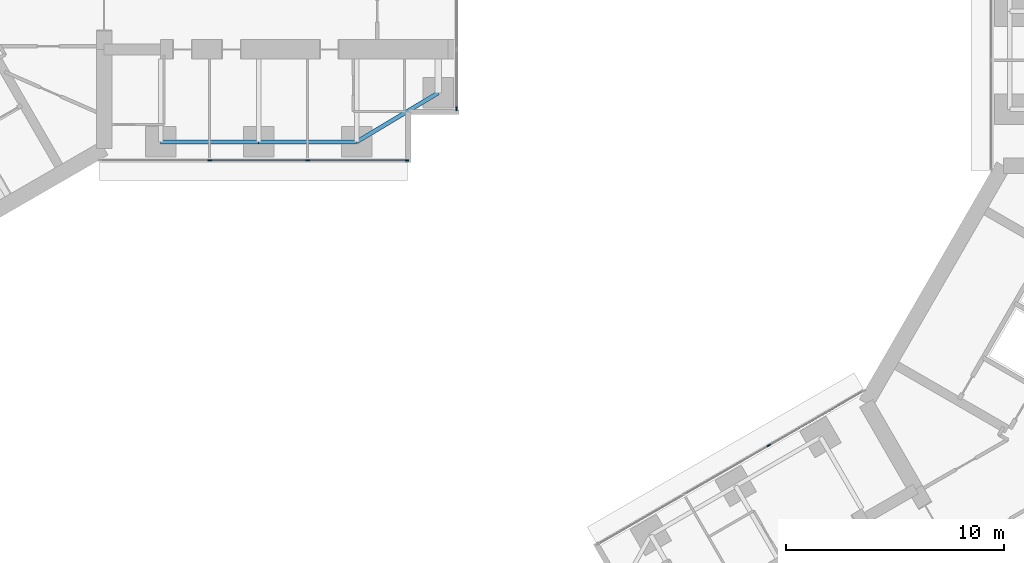
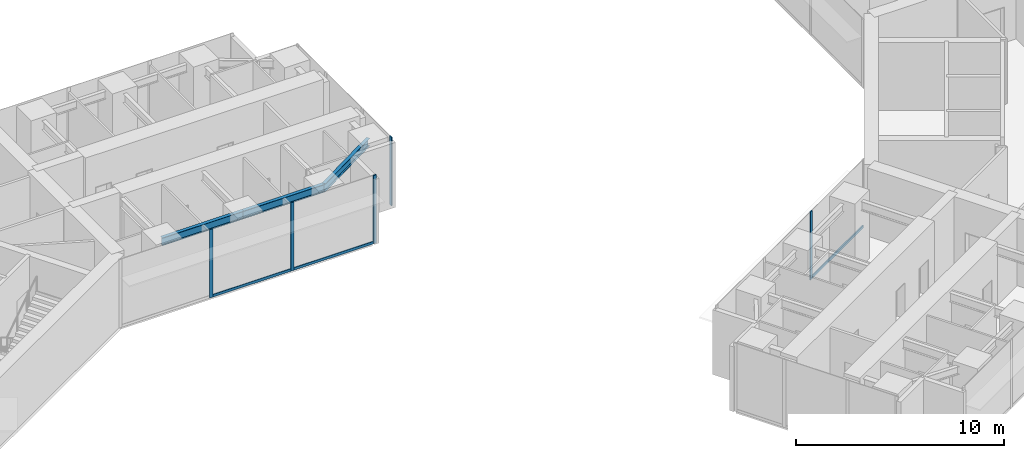
# One storey, part 5 of 25: 8 members, 3 beams, 3 elements without a shape of their own.
"""IFC4 building model written with IfcOpenShell, lengths in metres."""

import ifcopenshell
import ifcopenshell.guid

model = None  # the IFC model being written
_history = None  # IfcOwnerHistory: only IFC2X3 demands one
_inside = {}  # id of a spatial element -> (the spatial element, [elements in it])
_under = {}  # id of a project, library or spatial element -> (it, [spatial elements below it])
_declared = {}  # id of a project -> (the project, [libraries it declares])
_typed = {}  # id of a type object -> (the type object, [elements of that type])
_made_of = {}  # id of a material, layer set ... -> (it, [elements and type objects made of it])


def new_model(schema):
    """Start an empty IFC model of exactly this schema.

    Asked for "IFC4X3", IfcOpenShell would pick the latest addendum, in which some entities
    have other attributes; the version numbers below select the first issue.
    IFC2X3 requires an IfcOwnerHistory on every rooted entity: one is made here for all.
    """
    global model, _history
    if schema == "IFC4X3":
        model = ifcopenshell.file(schema_version=(4, 3, 0, 0))
    else:
        model = ifcopenshell.file(schema=schema)
    _inside.clear()
    _under.clear()
    _declared.clear()
    _typed.clear()
    _made_of.clear()
    _history = None
    if model.schema == "IFC2X3":
        org = make("IfcOrganization", Name="unknown")
        user = make(
            "IfcPersonAndOrganization",
            ThePerson=make("IfcPerson", FamilyName="unknown"),
            TheOrganization=org,
        )
        app = make(
            "IfcApplication",
            ApplicationDeveloper=org,
            Version="unknown",
            ApplicationFullName="unknown",
            ApplicationIdentifier="unknown",
        )
        _history = make(
            "IfcOwnerHistory",
            OwningUser=user,
            OwningApplication=app,
            ChangeAction="ADDED",
            CreationDate=0,
        )
    return model


def make(cls, **values):
    """One entity of the class cls with the attributes given. An attribute that is None is left unset."""
    return model.create_entity(
        cls, **{name: value for name, value in values.items() if value is not None}
    )


def rooted(cls, **values):
    """An entity with a GlobalId (a new one), such as an element, a storey or a relation."""
    return make(cls, GlobalId=ifcopenshell.guid.new(), OwnerHistory=_history, **values)


def si_unit(unit_type, name, prefix=None):
    """IfcSIUnit, for example si_unit("LENGTHUNIT", "METRE", prefix="MILLI")."""
    return make("IfcSIUnit", UnitType=unit_type, Prefix=prefix, Name=name)


def assignment(units):
    """IfcUnitAssignment: the units of a project."""
    return None if units is None else make("IfcUnitAssignment", Units=units)


def point(xyz):
    """IfcCartesianPoint."""
    return None if xyz is None else make("IfcCartesianPoint", Coordinates=xyz)


def direction(xyz):
    """IfcDirection."""
    return None if xyz is None else make("IfcDirection", DirectionRatios=xyz)


def frame(location, z_axis=None, x_axis=None):
    """IfcAxis2Placement3D, a coordinate frame: its origin and axes. An axis left out is left unset."""
    return make(
        "IfcAxis2Placement3D",
        Location=point(location),
        Axis=direction(z_axis),
        RefDirection=direction(x_axis),
    )


def frame_2d(location, x_axis=None):
    """IfcAxis2Placement2D, a coordinate frame in the plane: its origin and x axis."""
    return make(
        "IfcAxis2Placement2D", Location=point(location), RefDirection=direction(x_axis)
    )


def origin():
    """The frame at (0, 0, 0) with its axes left unset."""
    return frame((0.0, 0.0, 0.0))


def origin_2d():
    """The frame at (0, 0) in the plane with its x axis left unset."""
    return frame_2d((0.0, 0.0))


def place(relative_to, where):
    """IfcLocalPlacement: puts the frame where relative to a parent placement (None: the world)."""
    return make(
        "IfcLocalPlacement", PlacementRelTo=relative_to, RelativePlacement=where
    )


def context(
    kind, dimensions, precision=None, world=None, true_north=None, identifier=None
):
    """IfcGeometricRepresentationContext, for example the 3D "Model" context."""
    return make(
        "IfcGeometricRepresentationContext",
        ContextIdentifier=identifier,
        ContextType=kind,
        CoordinateSpaceDimension=dimensions,
        Precision=precision,
        WorldCoordinateSystem=world,
        TrueNorth=true_north,
    )


def subcontext(parent, identifier, kind, view, scale=None):
    """IfcGeometricRepresentationSubContext, for example "Body" below "Model"."""
    return make(
        "IfcGeometricRepresentationSubContext",
        ContextIdentifier=identifier,
        ContextType=kind,
        ParentContext=parent,
        TargetScale=scale,
        TargetView=view,
    )


def project(units=None, contexts=None):
    """IfcProject with its units and contexts."""
    return rooted(
        "IfcProject",
        Name="project",
        RepresentationContexts=contexts,
        UnitsInContext=assignment(units),
    )


def spatial(cls, under=None, at=None, **own):
    """A site, building, storey or space (cls), placed at a placement, below another one or the project."""
    s = rooted(cls, ObjectPlacement=at, **own)
    if under is not None:
        _under.setdefault(under.id(), (under, []))[1].append(s)
    return s


def profile(cls, at=None, kind="AREA", **sizes):
    """A parametric profile (cls). Its sizes go by their IFC names, for example OverallWidth=200.0."""
    return make(cls, ProfileType=kind, Position=at, **sizes)


def rectangle(**sizes):
    """IfcRectangleProfileDef."""
    return profile("IfcRectangleProfileDef", **sizes)


def i_section(**sizes):
    """IfcIShapeProfileDef."""
    return profile("IfcIShapeProfileDef", **sizes)


def extrude(swept, where, along, depth):
    """IfcExtrudedAreaSolid: the profile swept, set in the frame where, extruded along a direction by depth."""
    return make(
        "IfcExtrudedAreaSolid",
        SweptArea=swept,
        Position=where,
        ExtrudedDirection=direction(along),
        Depth=depth,
    )


def shape(context_of_items, identifier, shape_type, items):
    """IfcShapeRepresentation: the items that make up one representation, for example the "Body"."""
    return make(
        "IfcShapeRepresentation",
        ContextOfItems=context_of_items,
        RepresentationIdentifier=identifier,
        RepresentationType=shape_type,
        Items=items,
    )


def material(Name=None, Category=None):
    """IfcMaterial."""
    return make("IfcMaterial", Name=Name, Category=Category)


def material_profile(
    of_material, cross_section, Name=None, Category=None, Priority=None
):
    """IfcMaterialProfile: a cross section and its material."""
    return make(
        "IfcMaterialProfile",
        Name=Name,
        Material=of_material,
        Profile=cross_section,
        Priority=Priority,
        Category=Category,
    )


def profile_set(profiles, Name=None, composite=None):
    """IfcMaterialProfileSet."""
    return make(
        "IfcMaterialProfileSet",
        Name=Name,
        MaterialProfiles=profiles,
        CompositeProfile=composite,
    )


def made_of(thing, what):
    """Note that an element or type object is made of a material, layer set ...; save() writes the relation."""
    if what is not None:
        _made_of.setdefault(what.id(), (what, []))[1].append(thing)
    return thing


def type_object(cls, material=None, **own):
    """A type object (cls), such as IfcWallType, which elements share."""
    return made_of(rooted(cls, **own), material)


def element(
    cls,
    number,
    at=None,
    inside=None,
    cuts=None,
    type_object=None,
    material=None,
    context=None,
    identifier="Body",
    shape_type=None,
    held_by="IfcProductDefinitionShape",
    body=None,
    shapes=None,
    **own,
):
    """One element of the class cls, such as IfcWall. Its Tag is "e" and its number.

    at: its placement. inside: the storey or other place that contains it. cuts: it is an
    opening in that element (IfcRelVoidsElement). A single representation is given by context,
    identifier, shape_type and body (its items); several are given by shapes. held_by: the class
    of the entity that holds the representations. save() writes the other relations.
    """
    e = rooted(cls, Tag="e%d" % number, ObjectPlacement=at, **own)
    if body is not None:
        shapes = [shape(context, identifier, shape_type, body)]
    if shapes is not None:
        e.Representation = make(held_by, Representations=shapes)
    if inside is not None:
        _inside.setdefault(inside.id(), (inside, []))[1].append(e)
    if cuts is not None:
        rooted(
            "IfcRelVoidsElement", RelatingBuildingElement=cuts, RelatedOpeningElement=e
        )
    if type_object is not None:
        _typed.setdefault(type_object.id(), (type_object, []))[1].append(e)
    return made_of(e, material)


def aggregate(whole, parts):
    """IfcRelAggregates: a whole, such as a stair, and the parts it consists of."""
    return rooted("IfcRelAggregates", RelatingObject=whole, RelatedObjects=parts)


def save(model, path):
    """Write the relations noted so far, then the file.

    IfcRelAggregates (storeys below a building ...), IfcRelContainedInSpatialStructure (elements
    in a storey), IfcRelDefinesByType, IfcRelAssociatesMaterial and IfcRelDeclares: one each for
    every whole, place, type object, material and project.
    """
    for whole, parts in _under.values():
        aggregate(whole, parts)
    for where, things in _inside.values():
        rooted(
            "IfcRelContainedInSpatialStructure",
            RelatedElements=things,
            RelatingStructure=where,
        )
    for kind, things in _typed.values():
        rooted("IfcRelDefinesByType", RelatedObjects=things, RelatingType=kind)
    for what, things in _made_of.values():
        rooted("IfcRelAssociatesMaterial", RelatedObjects=things, RelatingMaterial=what)
    for by, libraries in _declared.values():
        rooted("IfcRelDeclares", RelatingContext=by, RelatedDefinitions=libraries)
    model.write(path)


model = new_model("IFC4")

# Units and contexts
model_context = context("Model", 3, precision=1e-05, world=origin(), true_north=direction((0.0, 1.0)))
body_context = subcontext(model_context, "Body", "Model", "MODEL_VIEW")
ifc_project = project(units=[si_unit("LENGTHUNIT", "METRE"), si_unit("AREAUNIT", "SQUARE_METRE"), si_unit("VOLUMEUNIT", "CUBIC_METRE"), si_unit("PLANEANGLEUNIT", "RADIAN"), si_unit("MASSUNIT", "GRAM", prefix="KILO")], contexts=[model_context])

# Site, building, storey
site_placement = place(None, origin())
site = spatial("IfcSite", under=ifc_project, at=site_placement, CompositionType="ELEMENT")
building_placement = place(site_placement, origin())
building = spatial("IfcBuilding", under=site, at=building_placement, Name="Upepo Twin Towers", CompositionType="ELEMENT")
storey_placement = place(building_placement, frame((0.0, 0.0, 76.5)))
storey = spatial("IfcBuildingStorey", under=building, at=storey_placement, Name="L18", CompositionType="ELEMENT", Elevation=76.5)

# Beams
ifc_material_1 = material(Name="Steel S355", Category="steel")
ifc_material_profile_1 = material_profile(ifc_material_1, i_section(OverallWidth=0.1904296875, OverallDepth=0.45703125, WebThickness=0.009033203125, FlangeThickness=0.014404296875, FilletRadius=0.01025390625, at=origin_2d()), Name="UB 457x191x74")
ifc_profile_set_1 = profile_set([ifc_material_profile_1], Name="Steel S355")
beam_type = type_object("IfcBeamType", Name="Beam UB 457x191x74", PredefinedType="BEAM", material=ifc_profile_set_1)
for number, where, z_axis, x_axis, name in (
    (1, (13.5, -6.0, 3.571533203125), (1.0, 0.0, 0.0), (0.0, 1.0, 0.0), "T1 edge beam AR 13.5-18.0"),
    (2, (18.0, -6.0, 3.571533203125), (1.0, 0.0, 0.0), (0.0, 1.0, 0.0), "T1 edge beam AR 18.0-22.5"),
):
    element("IfcBeam", number, at=place(storey_placement, frame(where, z_axis=z_axis, x_axis=x_axis)), inside=storey, type_object=beam_type, Name=name, PredefinedType="BEAM", context=body_context, shape_type="SweptSolid", body=[
        extrude(i_section(OverallWidth=0.1904296875, OverallDepth=0.45703125, WebThickness=0.009033203125, FlangeThickness=0.014404296875, FilletRadius=0.01025390625, at=origin_2d()), origin(), (0.0, 0.0, 1.0), 4.5),
    ])
beam_placement = place(storey_placement, frame((22.5, -6.0, 3.571533203125), z_axis=(0.857492925713, 0.514495755428, 0.0), x_axis=(-0.514495755428, 0.857492925713, 0.0)))
element("IfcBeam", 3, at=beam_placement, inside=storey, type_object=beam_type, Name="T1 nose edge beam AR", PredefinedType="BEAM", context=body_context, shape_type="SweptSolid", body=[
    extrude(i_section(OverallWidth=0.1904296875, OverallDepth=0.45703125, WebThickness=0.009033203125, FlangeThickness=0.014404296875, FilletRadius=0.01025390625, at=origin_2d()), origin(), (0.0, 0.0, 1.0), 4.373291015625),
])

# Curtain wall, members
ifc_material_2 = material(Name="Aluminium and fritted glass", Category="aluminium")
curtain_wall_type = type_object("IfcCurtainWallType", Name="Tower curtain wall TW1, fritted glass", PredefinedType="NOTDEFINED", material=ifc_material_2)
curtain_wall_1_placement = place(storey_placement, origin())
curtain_wall_1 = element("IfcCurtainWall", 4, at=curtain_wall_1_placement, inside=storey, type_object=curtain_wall_type, Name="T1 L18 wing A flank R curtain wall", PredefinedType="NOTDEFINED")
ifc_material_3 = material(Name="Aluminium mullion", Category="aluminium")
ifc_material_profile_2 = material_profile(ifc_material_3, rectangle(XDim=0.06494140625, YDim=0.179931640625, at=origin_2d()), Name="MULLION 65x180")
ifc_profile_set_2 = profile_set([ifc_material_profile_2], Name="Aluminium mullion")
member_type_1 = type_object("IfcMemberType", Name="Mullion 65x180 TW1", PredefinedType="MULLION", material=ifc_profile_set_2)
member_1_placement = place(storey_placement, frame((24.8173828125, -6.85009765625, 0.0), z_axis=(0.0, 0.0, 1.0), x_axis=(0.0, -1.0, 0.0)))
member_1 = element("IfcMember", 5, at=member_1_placement, type_object=member_type_1, Name="T1 L18 wing A flank R curtain wall mullion 1", PredefinedType="MULLION", context=body_context, shape_type="SweptSolid", body=[
    extrude(rectangle(XDim=0.06494140625, YDim=0.179931640625, at=origin_2d()), origin(), (0.0, 0.0, 1.0), 4.0),
])
member_2_placement = place(storey_placement, frame((20.25, -6.85009765625, 0.0), z_axis=(0.0, 0.0, 1.0), x_axis=(0.0, -1.0, 0.0)))
member_2 = element("IfcMember", 6, at=member_2_placement, type_object=member_type_1, Name="T1 L18 wing A flank R curtain wall mullion 2", PredefinedType="MULLION", context=body_context, shape_type="SweptSolid", body=[
    extrude(rectangle(XDim=0.06494140625, YDim=0.179931640625, at=origin_2d()), origin(), (0.0, 0.0, 1.0), 4.0),
])
member_3_placement = place(storey_placement, frame((15.75, -6.85009765625, 0.0), z_axis=(0.0, 0.0, 1.0), x_axis=(0.0, -1.0, 0.0)))
member_3 = element("IfcMember", 7, at=member_3_placement, type_object=member_type_1, Name="T1 L18 wing A flank R curtain wall mullion 3", PredefinedType="MULLION", context=body_context, shape_type="SweptSolid", body=[
    extrude(rectangle(XDim=0.06494140625, YDim=0.179931640625, at=origin_2d()), origin(), (0.0, 0.0, 1.0), 4.0),
])

# Curtain wall, member
curtain_wall_2_placement = place(storey_placement, origin())
curtain_wall_2 = element("IfcCurtainWall", 8, at=curtain_wall_2_placement, inside=storey, type_object=curtain_wall_type, Name="T1 L18 wing A nose curtain wall", PredefinedType="NOTDEFINED")
member_4_placement = place(storey_placement, frame((27.10009765625, -4.467529296875, 0.0), z_axis=(0.0, 0.0, 1.0), x_axis=(-1.0, 0.0, 0.0)))
member_4 = element("IfcMember", 9, at=member_4_placement, type_object=member_type_1, Name="T1 L18 wing A nose curtain wall mullion 1", PredefinedType="MULLION", context=body_context, shape_type="SweptSolid", body=[
    extrude(rectangle(XDim=0.06494140625, YDim=0.179931640625, at=origin_2d()), origin(), (0.0, 0.0, 1.0), 4.0),
])
aggregate(curtain_wall_2, [member_4])

curtain_wall_3_placement = place(storey_placement, origin())
curtain_wall_3 = element("IfcCurtainWall", 10, at=curtain_wall_3_placement, inside=storey, type_object=curtain_wall_type, Name="T2 L18 wing B flank R curtain wall", PredefinedType="NOTDEFINED")
member_5_placement = place(storey_placement, frame((41.43505859375, -19.942626953125, 0.0), z_axis=(0.0, 0.0, 1.0), x_axis=(-0.500000024426, 0.866025389682, 0.0)))
member_5 = element("IfcMember", 11, at=member_5_placement, type_object=member_type_1, Name="T2 L18 wing B flank R curtain wall mullion 3", PredefinedType="MULLION", context=body_context, shape_type="SweptSolid", body=[
    extrude(rectangle(XDim=0.06494140625, YDim=0.179931640625, at=origin_2d()), origin(), (0.0, 0.0, 1.0), 4.0),
])

# Member
ifc_material_4 = material(Name="Aluminium transom", Category="aluminium")
ifc_material_profile_3 = material_profile(ifc_material_4, rectangle(XDim=0.06494140625, YDim=0.14990234375, at=origin_2d()), Name="TRANSOM 65x150")
ifc_profile_set_3 = profile_set([ifc_material_profile_3], Name="Aluminium transom")
member_type_2 = type_object("IfcMemberType", Name="Transom 65x150 TW1", PredefinedType="USERDEFINED", material=ifc_profile_set_3)
member_6_placement = place(storey_placement, frame((24.784912109375, -6.85009765625, 0.074951171875), z_axis=(-1.0, 0.0, 0.0), x_axis=(0.0, -1.0, 0.0)))
member_6 = element("IfcMember", 12, at=member_6_placement, type_object=member_type_2, Name="T1 L18 wing A flank R curtain wall transom 1", ObjectType="TRANSOM", PredefinedType="USERDEFINED", context=body_context, shape_type="SweptSolid", body=[
    extrude(rectangle(XDim=0.06494140625, YDim=0.14990234375, at=origin_2d()), origin(), (0.0, 0.0, 1.0), 4.50244140625),
])

member_7_placement = place(storey_placement, frame((20.217529296875, -6.85009765625, 0.074951171875), z_axis=(-1.0, 0.0, 0.0), x_axis=(0.0, -1.0, 0.0)))
member_7 = element("IfcMember", 13, at=member_7_placement, type_object=member_type_2, Name="T1 L18 wing A flank R curtain wall transom 2", ObjectType="TRANSOM", PredefinedType="USERDEFINED", context=body_context, shape_type="SweptSolid", body=[
    extrude(rectangle(XDim=0.06494140625, YDim=0.14990234375, at=origin_2d()), origin(), (0.0, 0.0, 1.0), 4.43505859375),
])

aggregate(curtain_wall_1, [member_1, member_2, member_3, member_6, member_7])

member_8_placement = place(storey_placement, frame((41.463134765625, -19.926513671875, 0.074951171875), z_axis=(0.866034933967, 0.499983492876, 0.0), x_axis=(-0.499983492876, 0.866034933967, 0.0)))
member_8 = element("IfcMember", 14, at=member_8_placement, type_object=member_type_2, Name="T2 L18 wing B flank R curtain wall transom 3", ObjectType="TRANSOM", PredefinedType="USERDEFINED", context=body_context, shape_type="SweptSolid", body=[
    extrude(rectangle(XDim=0.06494140625, YDim=0.14990234375, at=origin_2d()), origin(), (0.0, 0.0, 1.0), 4.965576171875),
])

aggregate(curtain_wall_3, [member_5, member_8])

save(model, "model.ifc")
